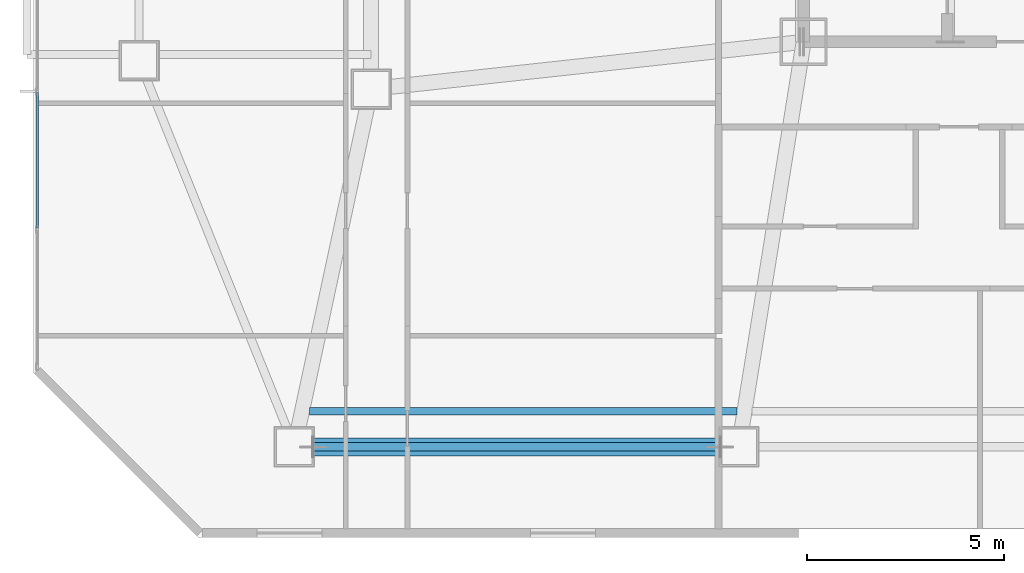
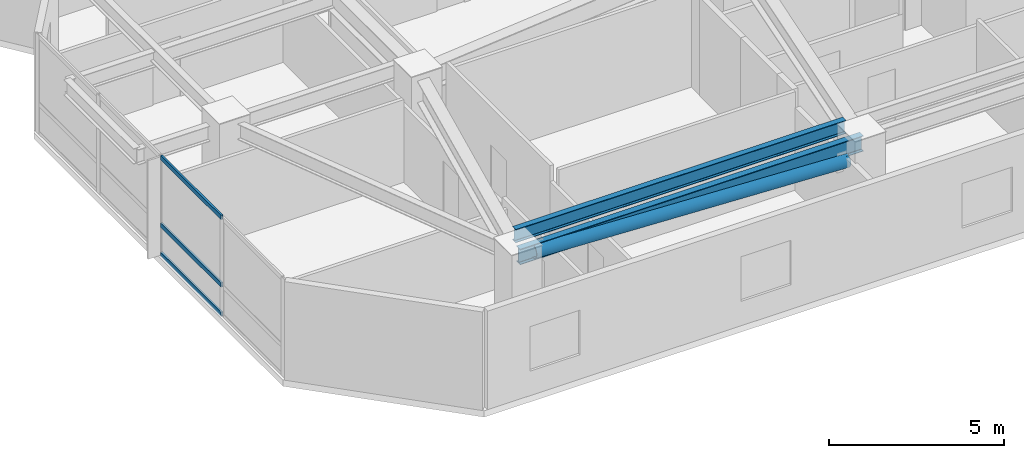
# One storey, part 3 of 17: 4 members, 2 beams, 1 element without a shape of its own.
"""IFC4 building model written with IfcOpenShell, lengths in metres."""

from ifc_helpers import new_model, si_unit, direction, frame, origin, origin_2d, place, context, subcontext, project, spatial, hollow_rectangle, hollow_circle, i_section, extrude, material, material_profile, profile_set, type_object, element, aggregate, save


model = new_model("IFC4")

# Units and contexts
model_context = context("Model", 3, precision=1e-05, world=origin(), true_north=direction((0.0, 1.0)))
body_context = subcontext(model_context, "Body", "Model", "MODEL_VIEW")
ifc_project = project(units=[si_unit("LENGTHUNIT", "METRE"), si_unit("AREAUNIT", "SQUARE_METRE"), si_unit("VOLUMEUNIT", "CUBIC_METRE"), si_unit("PLANEANGLEUNIT", "RADIAN"), si_unit("MASSUNIT", "GRAM", prefix="KILO")], contexts=[model_context])

# Site, building, storey
site_placement = place(None, origin())
site = spatial("IfcSite", under=ifc_project, at=site_placement, CompositionType="ELEMENT")
building_placement = place(site_placement, origin())
building = spatial("IfcBuilding", under=site, at=building_placement, Name="Khamvora Tower", CompositionType="ELEMENT")
storey_placement = place(building_placement, frame((0.0, 0.0, 131.10009765625)))
storey = spatial("IfcBuildingStorey", under=building, at=storey_placement, Name="L33", CompositionType="ELEMENT", Elevation=131.10009765625)

# Beams
ifc_material_1 = material(Name="Steel S355", Category="steel")
ifc_material_profile_1 = material_profile(ifc_material_1, i_section(OverallWidth=0.19189453125, OverallDepth=0.462890625, WebThickness=0.010986328125, FlangeThickness=0.01806640625, FilletRadius=0.011962890625, at=origin_2d()), Name="W460x89")
ifc_profile_set_1 = profile_set([ifc_material_profile_1], Name="Steel S355")
beam_type_1 = type_object("IfcBeamType", Name="BM-JS-W460x89", PredefinedType="JOIST", material=ifc_profile_set_1)
beam_1_placement = place(storey_placement, frame((16.43310546875, 9.60009765625, 3.197998046875), z_axis=(1.0, 0.0, 0.0), x_axis=(0.0, 1.0, 0.0)))
element("IfcBeam", 1, at=beam_1_placement, inside=storey, type_object=beam_type_1, Name="L33 secondary floor joist 01", PredefinedType="JOIST", context=body_context, shape_type="SweptSolid", body=[
    extrude(i_section(OverallWidth=0.19189453125, OverallDepth=0.462890625, WebThickness=0.010986328125, FlangeThickness=0.01806640625, FilletRadius=0.011962890625, at=origin_2d()), origin(), (0.0, 0.0, 1.0), 10.872802734375),
])
ifc_material_profile_2 = material_profile(ifc_material_1, i_section(OverallWidth=0.2119140625, OverallDepth=0.5439453125, WebThickness=0.012939453125, FlangeThickness=0.02099609375, FilletRadius=0.013916015625, at=origin_2d()), Name="W530x123")
ifc_profile_set_2 = profile_set([ifc_material_profile_2], Name="Steel S355")
beam_type_2 = type_object("IfcBeamType", Name="BM-SP-W530x123", PredefinedType="SPANDREL", material=ifc_profile_set_2)
beam_2_placement = place(storey_placement, frame((16.050048828125, 8.699951171875, 3.157958984375), z_axis=(1.0, 0.0, 0.0), x_axis=(0.0, 1.0, 0.0)))
element("IfcBeam", 2, at=beam_2_placement, inside=storey, type_object=beam_type_2, Name="L33 perimeter spandrel beam S1-S2", PredefinedType="SPANDREL", context=body_context, shape_type="SweptSolid", body=[
    extrude(i_section(OverallWidth=0.2119140625, OverallDepth=0.5439453125, WebThickness=0.012939453125, FlangeThickness=0.02099609375, FilletRadius=0.013916015625, at=origin_2d()), origin(), (0.0, 0.0, 1.0), 11.300048828125),
])

# Curtain wall, members
ifc_material_2 = material(Name="Anodised Aluminium 6063-T6", Category="aluminium")
curtain_wall_type = type_object("IfcCurtainWallType", Name="CW-SYS-03", PredefinedType="NOTDEFINED", material=ifc_material_2)
curtain_wall_placement = place(storey_placement, origin())
curtain_wall = element("IfcCurtainWall", 3, at=curtain_wall_placement, inside=storey, type_object=curtain_wall_type, Name="L33 stick curtain wall 02.1", PredefinedType="NOTDEFINED")
ifc_material_profile_3 = material_profile(ifc_material_2, hollow_rectangle(XDim=0.06494140625, YDim=0.155029296875, WallThickness=0.0048828125, at=origin_2d()), Name="TRN65x155x5")
ifc_profile_set_3 = profile_set([ifc_material_profile_3], Name="Anodised Aluminium 6063-T6")
member_type_1 = type_object("IfcMemberType", Name="CW-SYS-03-TRN", PredefinedType="USERDEFINED", material=ifc_profile_set_3)
member_1_placement = place(storey_placement, frame((9.510009765625, 14.260986328125, 0.032470703125), z_axis=(0.0, 1.0, 0.0), x_axis=(-1.0, 0.0, 0.0)))
member_1 = element("IfcMember", 4, at=member_1_placement, type_object=member_type_1, Name="CW-03 transom 2.1", ObjectType="TRANSOM", PredefinedType="USERDEFINED", context=body_context, shape_type="SweptSolid", body=[
    extrude(hollow_rectangle(XDim=0.06494140625, YDim=0.155029296875, WallThickness=0.0048828125, at=origin_2d()), origin(), (0.0, 0.0, 1.0), 3.446533203125),
])
member_2_placement = place(storey_placement, frame((9.510009765625, 14.260986328125, 1.0498046875), z_axis=(0.0, 1.0, 0.0), x_axis=(-1.0, 0.0, 0.0)))
member_2 = element("IfcMember", 5, at=member_2_placement, type_object=member_type_1, Name="CW-03 transom 2.2", ObjectType="TRANSOM", PredefinedType="USERDEFINED", context=body_context, shape_type="SweptSolid", body=[
    extrude(hollow_rectangle(XDim=0.06494140625, YDim=0.155029296875, WallThickness=0.0048828125, at=origin_2d()), origin(), (0.0, 0.0, 1.0), 3.446533203125),
])
member_3_placement = place(storey_placement, frame((9.510009765625, 14.260986328125, 3.3974609375), z_axis=(0.0, 1.0, 0.0), x_axis=(-1.0, 0.0, 0.0)))
member_3 = element("IfcMember", 6, at=member_3_placement, type_object=member_type_1, Name="CW-03 transom 2.3", ObjectType="TRANSOM", PredefinedType="USERDEFINED", context=body_context, shape_type="SweptSolid", body=[
    extrude(hollow_rectangle(XDim=0.06494140625, YDim=0.155029296875, WallThickness=0.0048828125, at=origin_2d()), origin(), (0.0, 0.0, 1.0), 3.446533203125),
])
aggregate(curtain_wall, [member_1, member_2, member_3])

# Member
ifc_material_profile_4 = material_profile(ifc_material_1, hollow_circle(Radius=0.228515625, WallThickness=0.02001953125, at=origin_2d()), Name="CHS457x20")
ifc_profile_set_4 = profile_set([ifc_material_profile_4], Name="Steel S355")
member_type_2 = type_object("IfcMemberType", Name="MEM-BR-CHS457", PredefinedType="BRACE", material=ifc_profile_set_4)
member_4_placement = place(storey_placement, frame((26.8701171875, 8.699951171875, 2.699951171875), z_axis=(-0.9990880639, 0.0, 0.042697079207), x_axis=(0.0, -1.0, 0.0)))
element("IfcMember", 7, at=member_4_placement, inside=storey, type_object=member_type_2, Name="L33 perimeter wind brace 1", PredefinedType="BRACE", context=body_context, shape_type="SweptSolid", body=[
    extrude(hollow_circle(Radius=0.228515625, WallThickness=0.02001953125, at=origin_2d()), origin(), (0.0, 0.0, 1.0), 10.349609375),
])

save(model, "model.ifc")
